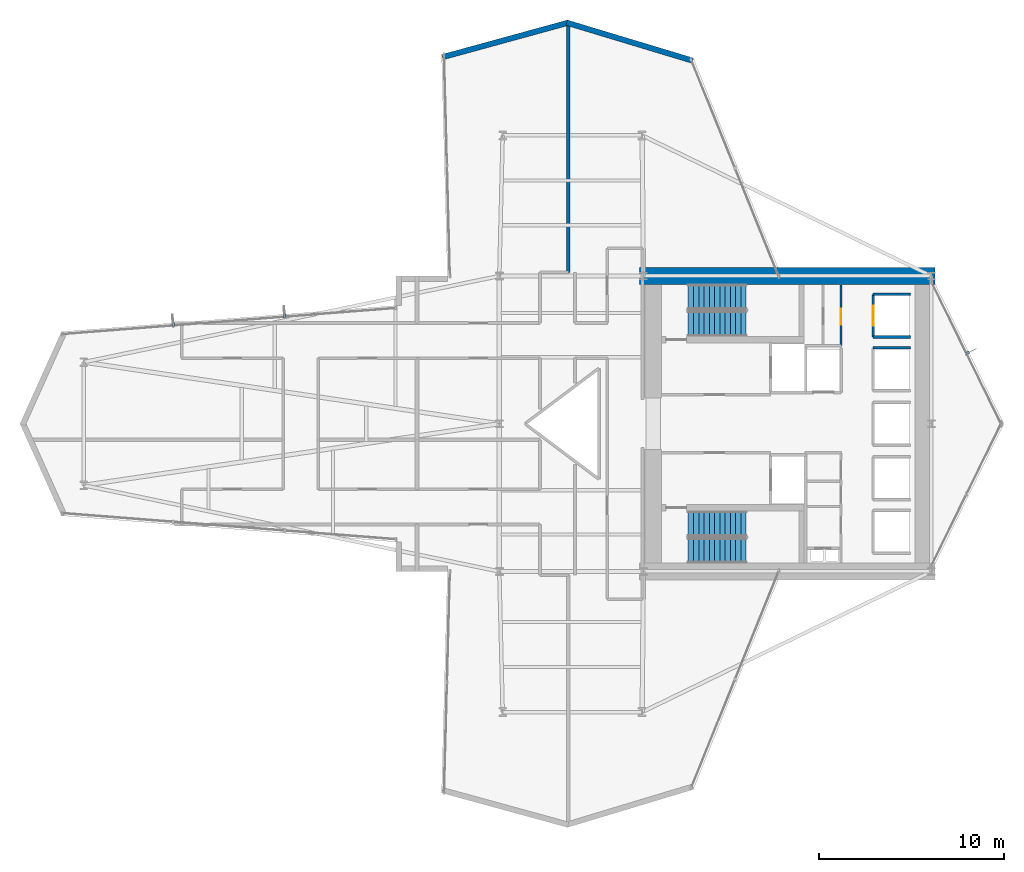
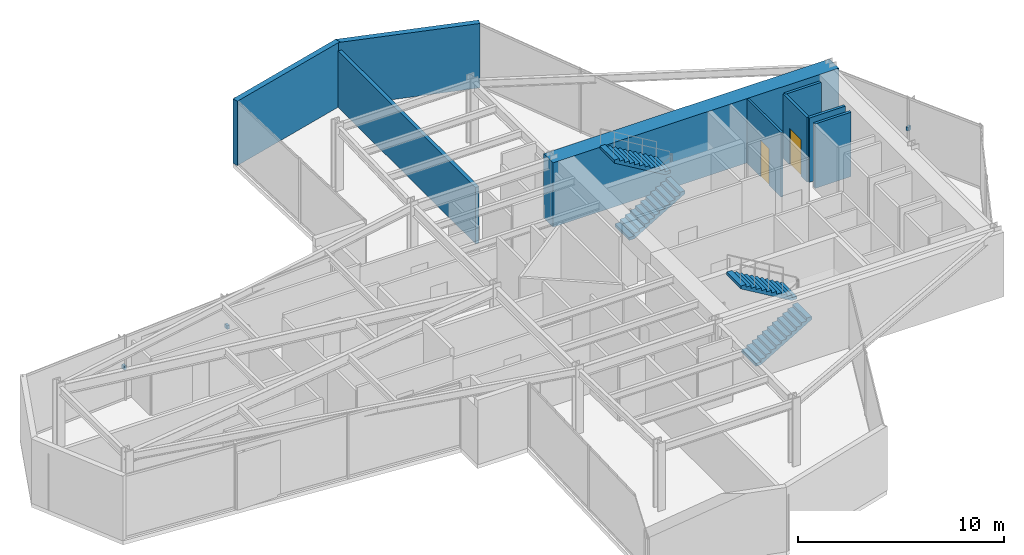
# One storey, part 29 of 30: 9 walls, 4 stair flights, 3 discrete accessories, 2 doors, 2 openings, 2 elements without a shape of their own.
"""IFC4 building model written with IfcOpenShell, lengths in metres."""

from ifc_helpers import new_model, si_unit, direction, frame, frame_2d, origin, origin_2d, place, context, subcontext, project, spatial, polyline, rectangle, outline, extrude, material, layer, layer_set, type_object, element, fill, aggregate, save


model = new_model("IFC4")

# Units and contexts
model_context = context("Model", 3, precision=1e-05, world=origin(), true_north=direction((0.0, 1.0)))
body_context = subcontext(model_context, "Body", "Model", "MODEL_VIEW")
ifc_project = project(units=[si_unit("LENGTHUNIT", "METRE"), si_unit("AREAUNIT", "SQUARE_METRE"), si_unit("VOLUMEUNIT", "CUBIC_METRE"), si_unit("PLANEANGLEUNIT", "RADIAN"), si_unit("MASSUNIT", "GRAM", prefix="KILO")], contexts=[model_context])

# Site, building, storey
site_placement = place(None, origin())
site = spatial("IfcSite", under=ifc_project, at=site_placement, CompositionType="ELEMENT")
building_placement = place(site_placement, origin())
building = spatial("IfcBuilding", under=site, at=building_placement, Name="Veymaron Broadcast Tower", CompositionType="ELEMENT")
storey_placement = place(building_placement, frame((0.0, 0.0, 66.14990234375)))
storey = spatial("IfcBuildingStorey", under=building, at=storey_placement, Name="L14", CompositionType="ELEMENT", Elevation=66.14990234375)

# Walls
ifc_material_1 = material(Name="Concrete C40/50", Category="concrete")
ifc_layer_1 = layer(ifc_material_1, 0.199951171875)
ifc_layer_set_1 = layer_set([ifc_layer_1], Name="Concrete C40/50")
wall_type_1 = type_object("IfcWallType", Name="WALL-BLK-200", PredefinedType="SOLIDWALL", material=ifc_layer_set_1)
wall_1_placement = place(storey_placement, frame((34.94091796875, 32.199951171875, 0.0), z_axis=(0.0, 0.0, 1.0), x_axis=(0.0, 1.0, 0.0)))
element("IfcWall", 1, at=wall_1_placement, inside=storey, type_object=wall_type_1, Name="L14 partition IW-L14-P42", PredefinedType="SOLIDWALL", context=body_context, shape_type="SweptSolid", body=[
    extrude(rectangle(XDim=13.635986328125, YDim=0.199951171875, at=frame_2d((6.81787109375, 0.0))), origin(), (0.0, 0.0, 1.0), 3.338134765625),
])
ifc_material_2 = material(Name="Precast concrete C40/50 with mineral-wool insulation", Category="concrete")
ifc_layer_2 = layer(ifc_material_2, 0.300048828125)
ifc_layer_set_2 = layer_set([ifc_layer_2], Name="Precast concrete C40/50 with mineral-wool insulation")
wall_type_2 = type_object("IfcWallType", Name="WALL-EXT-300", PredefinedType="STANDARD", material=ifc_layer_set_2)
wall_2_placement = place(storey_placement, frame((41.669921875, 43.659912109375, 0.0), z_axis=(0.0, 0.0, 1.0), x_axis=(-0.957387451844, 0.288806625707, 0.0)))
element("IfcWall", 2, at=wall_2_placement, inside=storey, type_object=wall_type_2, Name="L14 notched corner facade pier 6-1", PredefinedType="STANDARD", context=body_context, shape_type="SweptSolid", body=[
    extrude(rectangle(XDim=7.122802734375, YDim=0.300048828125, at=frame_2d((3.5615234375, 0.0))), origin(), (0.0, 0.0, 1.0), 3.81005859375),
])
wall_3_placement = place(storey_placement, frame((34.927978515625, 45.716064453125, 0.0), z_axis=(0.0, 0.0, 1.0), x_axis=(-0.96439075506, -0.264481514581, 0.0)))
element("IfcWall", 3, at=wall_3_placement, inside=storey, type_object=wall_type_2, Name="L14 notched corner facade pier 7-1", PredefinedType="STANDARD", context=body_context, shape_type="SweptSolid", body=[
    extrude(rectangle(XDim=7.07080078125, YDim=0.300048828125, at=frame_2d((3.535400390625, 0.0))), origin(), (0.0, 0.0, 1.0), 3.81005859375),
])

# Wall, opening, door
ifc_material_3 = material(Name="Gypsum fireboard and steel stud framing", Category="steel")
ifc_layer_3 = layer(ifc_material_3, 0.14990234375)
ifc_layer_set_3 = layer_set([ifc_layer_3], Name="Gypsum fireboard and steel stud framing")
wall_type_3 = type_object("IfcWallType", Name="WALL-FIRE-150", PredefinedType="PARTITIONING", material=ifc_layer_set_3)
wall_4_placement = place(storey_placement, frame((51.445068359375, 28.68994140625, 0.0), z_axis=(0.0, 0.0, 1.0), x_axis=(0.0, 1.0, 0.0)))
wall_4 = element("IfcWall", 4, at=wall_4_placement, inside=storey, type_object=wall_type_3, Name="L14 partition IW-L14-SHW-PL1", PredefinedType="PARTITIONING", context=body_context, shape_type="SweptSolid", body=[
    extrude(rectangle(XDim=2.320068359375, YDim=0.14990234375, at=frame_2d((1.16015625, 0.0))), origin(), (0.0, 0.0, 1.0), 3.81005859375),
])
opening_1_placement = place(wall_4_placement, frame((0.610107421875, 0.0, 0.0)))
opening_1 = element("IfcOpeningElement", 5, at=opening_1_placement, cuts=wall_4, Name="Opening LD", PredefinedType="OPENING", context=body_context, shape_type="SweptSolid", body=[
    extrude(rectangle(XDim=1.10009765625, YDim=2.14990234375, at=frame_2d((0.550048828125, 1.074951171875))), frame((0.0, 0.0849609375, 0.0), z_axis=(0.0, -1.0, 0.0), x_axis=(1.0, 0.0, 0.0)), (0.0, 0.0, 1.0), 0.169921875),
])
ifc_material_4 = material(Name="Brushed stainless steel AISI 304", Category="steel")
door_type_1 = type_object("IfcDoorType", Name="DOOR-LIFT-1100", OperationType="DOUBLE_DOOR_SLIDING", PredefinedType="DOOR", material=ifc_material_4)
door_1_placement = place(opening_1_placement, frame((1.10009765625, 0.0, 0.0), z_axis=(0.0, 0.0, 1.0), x_axis=(-1.0, 0.0, 0.0)))
door_1 = element("IfcDoor", 6, at=door_1_placement, inside=storey, type_object=door_type_1, Name="L14 door LD-L14-PL1", OperationType="DOUBLE_DOOR_SLIDING", OverallHeight=2.14990234375, OverallWidth=1.10009765625, PredefinedType="DOOR", context=body_context, shape_type="SweptSolid", body=[
    extrude(rectangle(XDim=1.10009765625, YDim=2.14990234375, at=frame_2d((0.550048828125, 1.074951171875))), frame((0.0, 0.02490234375, 0.0), z_axis=(0.0, -1.0, 0.0), x_axis=(1.0, 0.0, 0.0)), (0.0, 0.0, 1.0), 0.050048828125),
])
fill(opening_1, door_1)

# Walls
for number, where, z_axis, x_axis, name in (
    (7, (51.445068359375, 28.68994140625, 0.0), (0.0, 0.0, 1.0), (1.0, 0.0, 0.0), "L14 partition IW-L14-SHS-PL1"),
    (8, (51.445068359375, 31.010009765625, 0.0), (0.0, 0.0, 1.0), (1.0, 0.0, 0.0), "L14 partition IW-L14-SHN-PL1"),
    (9, (51.445068359375, 28.110107421875, 0.0), (0.0, 0.0, 1.0), (1.0, 0.0, 0.0), "L14 partition IW-L14-SHN-PM1"),
):
    element("IfcWall", number, at=place(storey_placement, frame(where, z_axis=z_axis, x_axis=x_axis)), inside=storey, type_object=wall_type_3, Name=name, PredefinedType="PARTITIONING", context=body_context, shape_type="SweptSolid", body=[
        extrude(rectangle(XDim=2.014892578125, YDim=0.14990234375, at=frame_2d((1.00732421875, 0.0))), origin(), (0.0, 0.0, 1.0), 3.81005859375),
    ])

# Wall, opening, door
ifc_material_5 = material(Name="Acoustic gypsum board and galvanized stud", Category="gypsum")
ifc_layer_4 = layer(ifc_material_5, 0.1201171875)
ifc_layer_set_4 = layer_set([ifc_layer_4], Name="Acoustic gypsum board and galvanized stud")
wall_type_4 = type_object("IfcWallType", Name="WALL-PART-120", PredefinedType="PARTITIONING", material=ifc_layer_set_4)
wall_5_placement = place(storey_placement, frame((49.699951171875, 28.219970703125, 0.0), z_axis=(0.0, 0.0, 1.0), x_axis=(0.0, 1.0, 0.0)))
wall_5 = element("IfcWall", 10, at=wall_5_placement, inside=storey, type_object=wall_type_4, Name="L14 partition IW-L14-NM-E", PredefinedType="PARTITIONING", context=body_context, shape_type="SweptSolid", body=[
    extrude(rectangle(XDim=3.300048828125, YDim=0.1201171875, at=frame_2d((1.64990234375, 0.0))), origin(), (0.0, 0.0, 1.0), 3.81005859375),
])
opening_2_placement = place(wall_5_placement, frame((1.14990234375, 0.0, 0.0)))
opening_2 = element("IfcOpeningElement", 11, at=opening_2_placement, cuts=wall_5, Name="Opening ID-WC1", PredefinedType="OPENING", context=body_context, shape_type="SweptSolid", body=[
    extrude(rectangle(XDim=0.85009765625, YDim=2.14990234375, at=frame_2d((0.425048828125, 1.074951171875))), frame((0.0, 0.070068359375, 0.0), z_axis=(0.0, -1.0, 0.0), x_axis=(1.0, 0.0, 0.0)), (0.0, 0.0, 1.0), 0.14013671875),
])
ifc_material_6 = material(Name="Moisture-resistant high-pressure laminate timber", Category="wood")
door_type_2 = type_object("IfcDoorType", Name="DOOR-INT-850", OperationType="NOTDEFINED", PredefinedType="DOOR", material=ifc_material_6)
door_2_placement = place(opening_2_placement, frame((0.85009765625, 0.0, 0.0), z_axis=(0.0, 0.0, 1.0), x_axis=(-1.0, 0.0, 0.0)))
door_2 = element("IfcDoor", 12, at=door_2_placement, inside=storey, type_object=door_type_2, Name="L14 door DR-L14-NMA", OperationType="SINGLE_SWING_RIGHT", OverallHeight=2.14990234375, OverallWidth=0.85009765625, PredefinedType="DOOR", context=body_context, shape_type="SweptSolid", body=[
    extrude(rectangle(XDim=0.85009765625, YDim=2.14990234375, at=frame_2d((0.425048828125, 1.074951171875))), frame((0.0, 0.02490234375, 0.0), z_axis=(0.0, -1.0, 0.0), x_axis=(1.0, 0.0, 0.0)), (0.0, 0.0, 1.0), 0.050048828125),
])
fill(opening_2, door_2)

# Wall
ifc_material_7 = material(Name="Concrete C70/85", Category="concrete")
ifc_layer_5 = layer(ifc_material_7, 0.89990234375)
ifc_layer_set_5 = layer_set([ifc_layer_5], Name="Concrete C70/85")
wall_type_5 = type_object("IfcWallType", Name="WALL-SHEAR-900", PredefinedType="SHEAR", material=ifc_layer_set_5)
wall_6_placement = place(storey_placement, frame((38.800048828125, 32.0, 0.0), z_axis=(0.0, 0.0, 1.0), x_axis=(1.0, 0.0, 0.0)))
element("IfcWall", 13, at=wall_6_placement, inside=storey, type_object=wall_type_5, Name="L14 Core Wall north shear", PredefinedType="SHEAR", context=body_context, shape_type="SweptSolid", body=[
    extrude(rectangle(XDim=16.0, YDim=0.89990234375, at=frame_2d((8.0, 0.0))), origin(), (0.0, 0.0, 1.0), 3.81005859375),
])

# Stair, stair flights
ifc_material_8 = material(Name="Concrete C50/60", Category="concrete")
stair_type_1 = type_object("IfcStairType", Name="STAIR-CORE-1", PredefinedType="HALF_TURN_STAIR", material=ifc_material_8)
stair_1_placement = place(storey_placement, origin())
stair_1 = element("IfcStair", 14, at=stair_1_placement, inside=storey, type_object=stair_type_1, Name="L14 North protected dog-leg exit stair ST1", PredefinedType="HALF_TURN_STAIR")
ifc_material_9 = material(Name="Precast concrete C50/60", Category="concrete")
stair_flight_type = type_object("IfcStairFlightType", Name="FLT-CORE-RC", PredefinedType="STRAIGHT", material=ifc_material_9)
stair_flight_1_placement = place(storey_placement, frame((41.429931640625, 29.419921875, 0.0), z_axis=(0.0, 0.0, 1.0), x_axis=(1.0, 0.0, 0.0)))
stair_flight_1 = element("IfcStairFlight", 15, at=stair_flight_1_placement, type_object=stair_flight_type, Name="ST1 flight 1", NumberOfRisers=12, NumberOfTreads=11, PredefinedType="STRAIGHT", RiserHeight=0.16875, TreadLength=0.285, context=body_context, shape_type="SweptSolid", body=[
    extrude(outline(polyline([(0.0, 0.0), (0.0, 0.168701171875), (0.284912109375, 0.168701171875), (0.284912109375, 0.33740234375), (0.570068359375, 0.33740234375), (0.570068359375, 0.50634765625), (0.85498046875, 0.50634765625), (0.85498046875, 0.675048828125), (1.139892578125, 0.675048828125), (1.139892578125, 0.84375), (1.425048828125, 0.84375), (1.425048828125, 1.012451171875), (1.7099609375, 1.012451171875), (1.7099609375, 1.18115234375), (1.9951171875, 1.18115234375), (1.9951171875, 1.35009765625), (2.280029296875, 1.35009765625), (2.280029296875, 1.518798828125), (2.56494140625, 1.518798828125), (2.56494140625, 1.6875), (2.85009765625, 1.6875), (2.85009765625, 1.856201171875), (3.135009765625, 1.856201171875), (3.135009765625, 2.02490234375), (3.135009765625, 1.68212890625), (0.294189453125, 0.0), (0.0, 0.0)])), frame((0.0, 0.68994140625, 0.0), z_axis=(0.0, -1.0, 0.0), x_axis=(1.0, 0.0, 0.0)), (0.0, 0.0, 1.0), 1.3798828125),
])
stair_flight_2_placement = place(storey_placement, frame((44.56494140625, 30.860107421875, 2.025146484375), z_axis=(0.0, 0.0, 1.0), x_axis=(-1.0, 0.0, 0.0)))
stair_flight_2 = element("IfcStairFlight", 16, at=stair_flight_2_placement, type_object=stair_flight_type, Name="ST1 flight 2", NumberOfRisers=12, NumberOfTreads=11, PredefinedType="STRAIGHT", RiserHeight=0.16875, TreadLength=0.285, context=body_context, shape_type="SweptSolid", body=[
    extrude(outline(polyline([(0.0, 0.0), (0.0, 0.168701171875), (0.284912109375, 0.168701171875), (0.284912109375, 0.33740234375), (0.570068359375, 0.33740234375), (0.570068359375, 0.50634765625), (0.85498046875, 0.50634765625), (0.85498046875, 0.675048828125), (1.139892578125, 0.675048828125), (1.139892578125, 0.84375), (1.425048828125, 0.84375), (1.425048828125, 1.012451171875), (1.7099609375, 1.012451171875), (1.7099609375, 1.18115234375), (1.9951171875, 1.18115234375), (1.9951171875, 1.35009765625), (2.280029296875, 1.35009765625), (2.280029296875, 1.518798828125), (2.56494140625, 1.518798828125), (2.56494140625, 1.6875), (2.85009765625, 1.6875), (2.85009765625, 1.856201171875), (3.135009765625, 1.856201171875), (3.135009765625, 2.02490234375), (3.135009765625, 1.68212890625), (0.294189453125, 0.0), (0.0, 0.0)])), frame((0.0, 0.68994140625, 0.0), z_axis=(0.0, -1.0, 0.0), x_axis=(1.0, 0.0, 0.0)), (0.0, 0.0, 1.0), 1.3798828125),
])
aggregate(stair_1, [stair_flight_1, stair_flight_2])

stair_type_2 = type_object("IfcStairType", Name="STAIR-CORE-2", PredefinedType="HALF_TURN_STAIR", material=ifc_material_8)
stair_2_placement = place(storey_placement, origin())
stair_2 = element("IfcStair", 17, at=stair_2_placement, inside=storey, type_object=stair_type_2, Name="L14 South protected dog-leg exit stair ST2", PredefinedType="HALF_TURN_STAIR")
stair_flight_3_placement = place(storey_placement, frame((41.429931640625, 17.139892578125, 0.0), z_axis=(0.0, 0.0, 1.0), x_axis=(1.0, 0.0, 0.0)))
stair_flight_3 = element("IfcStairFlight", 18, at=stair_flight_3_placement, type_object=stair_flight_type, Name="ST2 flight 1", NumberOfRisers=12, NumberOfTreads=11, PredefinedType="STRAIGHT", RiserHeight=0.16875, TreadLength=0.285, context=body_context, shape_type="SweptSolid", body=[
    extrude(outline(polyline([(0.0, 0.0), (0.0, 0.168701171875), (0.284912109375, 0.168701171875), (0.284912109375, 0.33740234375), (0.570068359375, 0.33740234375), (0.570068359375, 0.50634765625), (0.85498046875, 0.50634765625), (0.85498046875, 0.675048828125), (1.139892578125, 0.675048828125), (1.139892578125, 0.84375), (1.425048828125, 0.84375), (1.425048828125, 1.012451171875), (1.7099609375, 1.012451171875), (1.7099609375, 1.18115234375), (1.9951171875, 1.18115234375), (1.9951171875, 1.35009765625), (2.280029296875, 1.35009765625), (2.280029296875, 1.518798828125), (2.56494140625, 1.518798828125), (2.56494140625, 1.6875), (2.85009765625, 1.6875), (2.85009765625, 1.856201171875), (3.135009765625, 1.856201171875), (3.135009765625, 2.02490234375), (3.135009765625, 1.68212890625), (0.294189453125, 0.0), (0.0, 0.0)])), frame((0.0, 0.68994140625, 0.0), z_axis=(0.0, -1.0, 0.0), x_axis=(1.0, 0.0, 0.0)), (0.0, 0.0, 1.0), 1.3798828125),
])
stair_flight_4_placement = place(storey_placement, frame((44.56494140625, 18.580078125, 2.025146484375), z_axis=(0.0, 0.0, 1.0), x_axis=(-1.0, 0.0, 0.0)))
stair_flight_4 = element("IfcStairFlight", 19, at=stair_flight_4_placement, type_object=stair_flight_type, Name="ST2 flight 2", NumberOfRisers=12, NumberOfTreads=11, PredefinedType="STRAIGHT", RiserHeight=0.16875, TreadLength=0.285, context=body_context, shape_type="SweptSolid", body=[
    extrude(outline(polyline([(0.0, 0.0), (0.0, 0.168701171875), (0.284912109375, 0.168701171875), (0.284912109375, 0.33740234375), (0.570068359375, 0.33740234375), (0.570068359375, 0.50634765625), (0.85498046875, 0.50634765625), (0.85498046875, 0.675048828125), (1.139892578125, 0.675048828125), (1.139892578125, 0.84375), (1.425048828125, 0.84375), (1.425048828125, 1.012451171875), (1.7099609375, 1.012451171875), (1.7099609375, 1.18115234375), (1.9951171875, 1.18115234375), (1.9951171875, 1.35009765625), (2.280029296875, 1.35009765625), (2.280029296875, 1.518798828125), (2.56494140625, 1.518798828125), (2.56494140625, 1.6875), (2.85009765625, 1.6875), (2.85009765625, 1.856201171875), (3.135009765625, 1.856201171875), (3.135009765625, 2.02490234375), (3.135009765625, 1.68212890625), (0.294189453125, 0.0), (0.0, 0.0)])), frame((0.0, 0.68994140625, 0.0), z_axis=(0.0, -1.0, 0.0), x_axis=(1.0, 0.0, 0.0)), (0.0, 0.0, 1.0), 1.3798828125),
])
aggregate(stair_2, [stair_flight_3, stair_flight_4])

# Discrete accessories
ifc_material_10 = material(Name="Austenitic stainless steel AISI 316L", Category="steel")
ifc_layer_6 = layer(ifc_material_10, 0.1201171875)
ifc_layer_set_6 = layer_set([ifc_layer_6], Name="Austenitic stainless steel AISI 316L")
discrete_accessory_type = type_object("IfcDiscreteAccessoryType", Name="ACC-BRKT-SS1", PredefinedType="BRACKET", material=ifc_layer_set_6)
for number, where, z_axis, x_axis, name in (
    (20, (56.5546875, 27.836669921875, 1.794921875), (0.0, 0.0, 1.0), (0.897681771406, 0.440644343304, 0.0), "CW-L14-E3-1 fin bracket 1"),
    (21, (19.578125, 29.84814453125, 1.794921875), (0.0, 0.0, 1.0), (-0.078024101027, 0.996951473071, 0.0), "CW-L14-E11-1 fin bracket 1"),
    (22, (13.542236328125, 29.3759765625, 1.794921875), (0.0, 0.0, 1.0), (-0.078024101027, 0.996951473071, 0.0), "CW-L14-E11-1 fin bracket 2"),
):
    element("IfcDiscreteAccessory", number, at=place(storey_placement, frame(where, z_axis=z_axis, x_axis=x_axis)), inside=storey, type_object=discrete_accessory_type, Name=name, PredefinedType="BRACKET", context=body_context, shape_type="SweptSolid", body=[
        extrude(rectangle(XDim=0.219970703125, YDim=0.139892578125, at=origin_2d()), origin(), (0.0, 0.0, 1.0), 0.219970703125),
    ])

save(model, "model.ifc")
